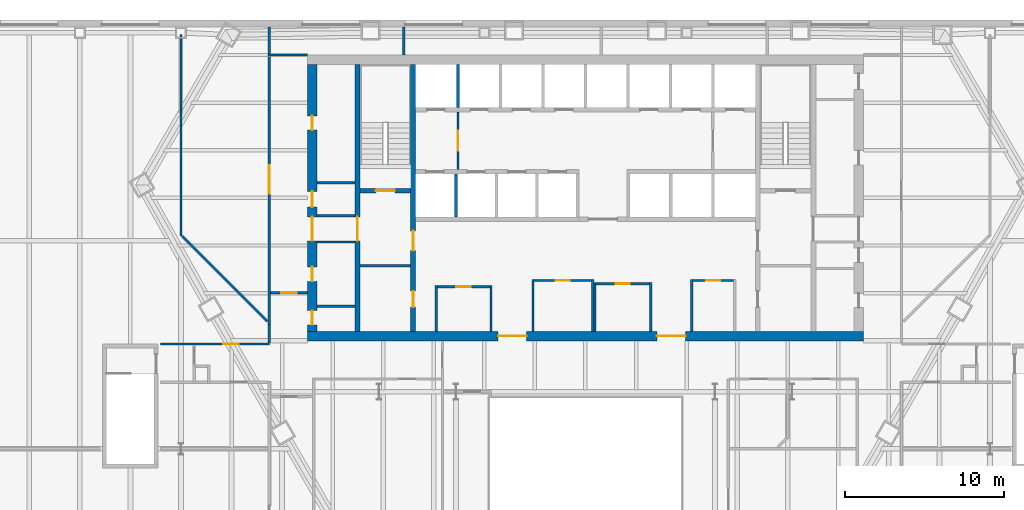
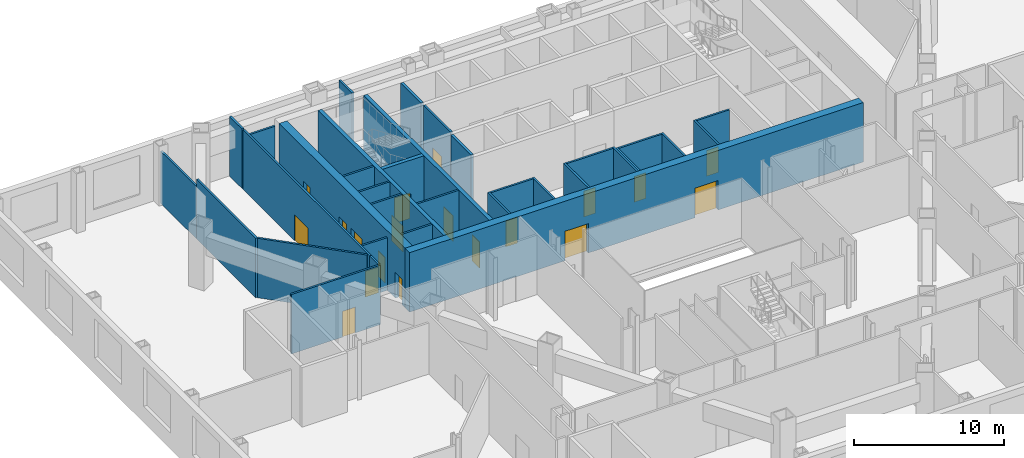
# One storey, part 11 of 17: 34 walls, 19 doors, 19 openings.
"""IFC4 building model written with IfcOpenShell, lengths in metres."""

import ifcopenshell
import ifcopenshell.guid

model = None  # the IFC model being written
_history = None  # IfcOwnerHistory: only IFC2X3 demands one
_inside = {}  # id of a spatial element -> (the spatial element, [elements in it])
_under = {}  # id of a project, library or spatial element -> (it, [spatial elements below it])
_declared = {}  # id of a project -> (the project, [libraries it declares])
_typed = {}  # id of a type object -> (the type object, [elements of that type])
_made_of = {}  # id of a material, layer set ... -> (it, [elements and type objects made of it])


def new_model(schema):
    """Start an empty IFC model of exactly this schema.

    Asked for "IFC4X3", IfcOpenShell would pick the latest addendum, in which some entities
    have other attributes; the version numbers below select the first issue.
    IFC2X3 requires an IfcOwnerHistory on every rooted entity: one is made here for all.
    """
    global model, _history
    if schema == "IFC4X3":
        model = ifcopenshell.file(schema_version=(4, 3, 0, 0))
    else:
        model = ifcopenshell.file(schema=schema)
    _inside.clear()
    _under.clear()
    _declared.clear()
    _typed.clear()
    _made_of.clear()
    _history = None
    if model.schema == "IFC2X3":
        org = make("IfcOrganization", Name="unknown")
        user = make(
            "IfcPersonAndOrganization",
            ThePerson=make("IfcPerson", FamilyName="unknown"),
            TheOrganization=org,
        )
        app = make(
            "IfcApplication",
            ApplicationDeveloper=org,
            Version="unknown",
            ApplicationFullName="unknown",
            ApplicationIdentifier="unknown",
        )
        _history = make(
            "IfcOwnerHistory",
            OwningUser=user,
            OwningApplication=app,
            ChangeAction="ADDED",
            CreationDate=0,
        )
    return model


def make(cls, **values):
    """One entity of the class cls with the attributes given. An attribute that is None is left unset."""
    return model.create_entity(
        cls, **{name: value for name, value in values.items() if value is not None}
    )


def rooted(cls, **values):
    """An entity with a GlobalId (a new one), such as an element, a storey or a relation."""
    return make(cls, GlobalId=ifcopenshell.guid.new(), OwnerHistory=_history, **values)


def si_unit(unit_type, name, prefix=None):
    """IfcSIUnit, for example si_unit("LENGTHUNIT", "METRE", prefix="MILLI")."""
    return make("IfcSIUnit", UnitType=unit_type, Prefix=prefix, Name=name)


def assignment(units):
    """IfcUnitAssignment: the units of a project."""
    return None if units is None else make("IfcUnitAssignment", Units=units)


def point(xyz):
    """IfcCartesianPoint."""
    return None if xyz is None else make("IfcCartesianPoint", Coordinates=xyz)


def direction(xyz):
    """IfcDirection."""
    return None if xyz is None else make("IfcDirection", DirectionRatios=xyz)


def frame(location, z_axis=None, x_axis=None):
    """IfcAxis2Placement3D, a coordinate frame: its origin and axes. An axis left out is left unset."""
    return make(
        "IfcAxis2Placement3D",
        Location=point(location),
        Axis=direction(z_axis),
        RefDirection=direction(x_axis),
    )


def frame_2d(location, x_axis=None):
    """IfcAxis2Placement2D, a coordinate frame in the plane: its origin and x axis."""
    return make(
        "IfcAxis2Placement2D", Location=point(location), RefDirection=direction(x_axis)
    )


def origin():
    """The frame at (0, 0, 0) with its axes left unset."""
    return frame((0.0, 0.0, 0.0))


def place(relative_to, where):
    """IfcLocalPlacement: puts the frame where relative to a parent placement (None: the world)."""
    return make(
        "IfcLocalPlacement", PlacementRelTo=relative_to, RelativePlacement=where
    )


def context(
    kind, dimensions, precision=None, world=None, true_north=None, identifier=None
):
    """IfcGeometricRepresentationContext, for example the 3D "Model" context."""
    return make(
        "IfcGeometricRepresentationContext",
        ContextIdentifier=identifier,
        ContextType=kind,
        CoordinateSpaceDimension=dimensions,
        Precision=precision,
        WorldCoordinateSystem=world,
        TrueNorth=true_north,
    )


def subcontext(parent, identifier, kind, view, scale=None):
    """IfcGeometricRepresentationSubContext, for example "Body" below "Model"."""
    return make(
        "IfcGeometricRepresentationSubContext",
        ContextIdentifier=identifier,
        ContextType=kind,
        ParentContext=parent,
        TargetScale=scale,
        TargetView=view,
    )


def project(units=None, contexts=None):
    """IfcProject with its units and contexts."""
    return rooted(
        "IfcProject",
        Name="project",
        RepresentationContexts=contexts,
        UnitsInContext=assignment(units),
    )


def spatial(cls, under=None, at=None, **own):
    """A site, building, storey or space (cls), placed at a placement, below another one or the project."""
    s = rooted(cls, ObjectPlacement=at, **own)
    if under is not None:
        _under.setdefault(under.id(), (under, []))[1].append(s)
    return s


def profile(cls, at=None, kind="AREA", **sizes):
    """A parametric profile (cls). Its sizes go by their IFC names, for example OverallWidth=200.0."""
    return make(cls, ProfileType=kind, Position=at, **sizes)


def rectangle(**sizes):
    """IfcRectangleProfileDef."""
    return profile("IfcRectangleProfileDef", **sizes)


def extrude(swept, where, along, depth):
    """IfcExtrudedAreaSolid: the profile swept, set in the frame where, extruded along a direction by depth."""
    return make(
        "IfcExtrudedAreaSolid",
        SweptArea=swept,
        Position=where,
        ExtrudedDirection=direction(along),
        Depth=depth,
    )


def shape(context_of_items, identifier, shape_type, items):
    """IfcShapeRepresentation: the items that make up one representation, for example the "Body"."""
    return make(
        "IfcShapeRepresentation",
        ContextOfItems=context_of_items,
        RepresentationIdentifier=identifier,
        RepresentationType=shape_type,
        Items=items,
    )


def material(Name=None, Category=None):
    """IfcMaterial."""
    return make("IfcMaterial", Name=Name, Category=Category)


def layer(
    of_material, thickness, ventilated=None, Name=None, Category=None, Priority=None
):
    """IfcMaterialLayer: one layer of a wall or slab, of a material (None: an air gap)."""
    return make(
        "IfcMaterialLayer",
        Material=of_material,
        LayerThickness=thickness,
        IsVentilated=ventilated,
        Name=Name,
        Category=Category,
        Priority=Priority,
    )


def layer_set(layers, Name=None):
    """IfcMaterialLayerSet."""
    return make("IfcMaterialLayerSet", MaterialLayers=layers, LayerSetName=Name)


def made_of(thing, what):
    """Note that an element or type object is made of a material, layer set ...; save() writes the relation."""
    if what is not None:
        _made_of.setdefault(what.id(), (what, []))[1].append(thing)
    return thing


def type_object(cls, material=None, **own):
    """A type object (cls), such as IfcWallType, which elements share."""
    return made_of(rooted(cls, **own), material)


def element(
    cls,
    number,
    at=None,
    inside=None,
    cuts=None,
    type_object=None,
    material=None,
    context=None,
    identifier="Body",
    shape_type=None,
    held_by="IfcProductDefinitionShape",
    body=None,
    shapes=None,
    **own,
):
    """One element of the class cls, such as IfcWall. Its Tag is "e" and its number.

    at: its placement. inside: the storey or other place that contains it. cuts: it is an
    opening in that element (IfcRelVoidsElement). A single representation is given by context,
    identifier, shape_type and body (its items); several are given by shapes. held_by: the class
    of the entity that holds the representations. save() writes the other relations.
    """
    e = rooted(cls, Tag="e%d" % number, ObjectPlacement=at, **own)
    if body is not None:
        shapes = [shape(context, identifier, shape_type, body)]
    if shapes is not None:
        e.Representation = make(held_by, Representations=shapes)
    if inside is not None:
        _inside.setdefault(inside.id(), (inside, []))[1].append(e)
    if cuts is not None:
        rooted(
            "IfcRelVoidsElement", RelatingBuildingElement=cuts, RelatedOpeningElement=e
        )
    if type_object is not None:
        _typed.setdefault(type_object.id(), (type_object, []))[1].append(e)
    return made_of(e, material)


def fill(opening, filler):
    """IfcRelFillsElement: the door or window that sits in an opening."""
    return rooted(
        "IfcRelFillsElement",
        RelatingOpeningElement=opening,
        RelatedBuildingElement=filler,
    )


def aggregate(whole, parts):
    """IfcRelAggregates: a whole, such as a stair, and the parts it consists of."""
    return rooted("IfcRelAggregates", RelatingObject=whole, RelatedObjects=parts)


def save(model, path):
    """Write the relations noted so far, then the file.

    IfcRelAggregates (storeys below a building ...), IfcRelContainedInSpatialStructure (elements
    in a storey), IfcRelDefinesByType, IfcRelAssociatesMaterial and IfcRelDeclares: one each for
    every whole, place, type object, material and project.
    """
    for whole, parts in _under.values():
        aggregate(whole, parts)
    for where, things in _inside.values():
        rooted(
            "IfcRelContainedInSpatialStructure",
            RelatedElements=things,
            RelatingStructure=where,
        )
    for kind, things in _typed.values():
        rooted("IfcRelDefinesByType", RelatedObjects=things, RelatingType=kind)
    for what, things in _made_of.values():
        rooted("IfcRelAssociatesMaterial", RelatedObjects=things, RelatingMaterial=what)
    for by, libraries in _declared.values():
        rooted("IfcRelDeclares", RelatingContext=by, RelatedDefinitions=libraries)
    model.write(path)


model = new_model("IFC4")

# Units and contexts
model_context = context("Model", 3, precision=1e-05, world=origin(), true_north=direction((0.0, 1.0)))
body_context = subcontext(model_context, "Body", "Model", "MODEL_VIEW")
ifc_project = project(units=[si_unit("LENGTHUNIT", "METRE"), si_unit("AREAUNIT", "SQUARE_METRE"), si_unit("VOLUMEUNIT", "CUBIC_METRE"), si_unit("PLANEANGLEUNIT", "RADIAN"), si_unit("MASSUNIT", "GRAM", prefix="KILO")], contexts=[model_context])

# Site, building, storey
site_placement = place(None, origin())
site = spatial("IfcSite", under=ifc_project, at=site_placement, CompositionType="ELEMENT")
building_placement = place(site_placement, origin())
building = spatial("IfcBuilding", under=site, at=building_placement, Name="Njiva Tower", CompositionType="ELEMENT")
storey_placement = place(building_placement, frame((0.0, 0.0, 23.7)))
storey = spatial("IfcBuildingStorey", under=building, at=storey_placement, Name="L04", CompositionType="ELEMENT", Elevation=23.7)

# Walls
ifc_material_1 = material(Name="Blockwork", Category="masonry")
ifc_layer_1 = layer(ifc_material_1, 0.15)
ifc_layer_set_1 = layer_set([ifc_layer_1], Name="Blockwork")
wall_type_1 = type_object("IfcWallType", Name="WT1 Compartment partition 150", PredefinedType="PARTITIONING", material=ifc_layer_set_1)
wall_1_placement = place(storey_placement, frame((-14.2, 4.725, 0.0), z_axis=(0.0, 0.0, 1.0), x_axis=(1.0, 0.0, 0.0)))
element("IfcWall", 1, at=wall_1_placement, inside=storey, type_object=wall_type_1, Name="Room wall A", PredefinedType="PARTITIONING", context=body_context, shape_type="SweptSolid", body=[
    extrude(rectangle(XDim=3.2, YDim=0.15, at=frame_2d((1.6, 0.0))), origin(), (0.0, 0.0, 1.0), 4.85),
])
wall_2_placement = place(storey_placement, frame((-16.9, 9.9575, 0.0), z_axis=(0.0, 0.0, 1.0), x_axis=(1.0, 0.0, 0.0)))
element("IfcWall", 2, at=wall_2_placement, inside=storey, type_object=wall_type_1, Name="Partition strip W10", PredefinedType="PARTITIONING", context=body_context, shape_type="SweptSolid", body=[
    extrude(rectangle(XDim=2.4, YDim=0.15, at=frame_2d((1.2, 0.0))), origin(), (0.0, 0.0, 1.0), 4.85),
])
for number, where, z_axis, x_axis, name in (
    (3, (-9.4, 0.6, 0.0), (0.0, 0.0, 1.0), (0.0, 1.0, 0.0), "Waiting room wall west"),
    (4, (-5.95, 0.6, 0.0), (0.0, 0.0, 1.0), (0.0, 1.0, 0.0), "Waiting room wall east"),
):
    element("IfcWall", number, at=place(storey_placement, frame(where, z_axis=z_axis, x_axis=x_axis)), inside=storey, type_object=wall_type_1, Name=name, PredefinedType="PARTITIONING", context=body_context, shape_type="SweptSolid", body=[
        extrude(rectangle(XDim=2.875, YDim=0.15, at=frame_2d((1.4375, 0.0))), origin(), (0.0, 0.0, 1.0), 4.85),
    ])

# Wall, opening, door
wall_3_placement = place(storey_placement, frame((-9.325, 3.4, 0.0), z_axis=(0.0, 0.0, 1.0), x_axis=(1.0, 0.0, 0.0)))
wall_3 = element("IfcWall", 5, at=wall_3_placement, inside=storey, type_object=wall_type_1, Name="Waiting room wall north", PredefinedType="PARTITIONING", context=body_context, shape_type="SweptSolid", body=[
    extrude(rectangle(XDim=3.3, YDim=0.15, at=frame_2d((1.65, 0.0))), origin(), (0.0, 0.0, 1.0), 4.85),
])
opening_1_placement = place(wall_3_placement, frame((1.2, 0.0, 0.0)))
opening_1 = element("IfcOpeningElement", 6, at=opening_1_placement, cuts=wall_3, Name="Opening L04-D932", PredefinedType="OPENING", context=body_context, shape_type="SweptSolid", body=[
    extrude(rectangle(XDim=0.9, YDim=2.1, at=frame_2d((0.45, 1.05))), frame((0.0, 0.085, 0.0), z_axis=(0.0, -1.0, 0.0), x_axis=(1.0, 0.0, 0.0)), (0.0, 0.0, 1.0), 0.17),
])
ifc_material_2 = material(Name="Steel fire door, painted", Category="steel")
door_type_1 = type_object("IfcDoorType", Name="D6 Fire-rated door 900x2100", OperationType="SINGLE_SWING_LEFT", PredefinedType="DOOR", material=ifc_material_2)
door_1_placement = place(opening_1_placement, origin())
door_1 = element("IfcDoor", 7, at=door_1_placement, inside=storey, type_object=door_type_1, Name="Waiting room door", OperationType="SINGLE_SWING_RIGHT", OverallHeight=2.1, OverallWidth=0.9, PredefinedType="DOOR", context=body_context, shape_type="SweptSolid", body=[
    extrude(rectangle(XDim=0.9, YDim=2.1, at=frame_2d((0.45, 1.05))), frame((0.0, 0.025, 0.0), z_axis=(0.0, -1.0, 0.0), x_axis=(1.0, 0.0, 0.0)), (0.0, 0.0, 1.0), 0.05),
])
fill(opening_1, door_1)

# Walls
for number, where, z_axis, x_axis, name in (
    (8, (-3.3, 0.6, 0.0), (0.0, 0.0, 1.0), (0.0, 1.0, 0.0), "First aid room wall west"),
    (9, (0.45, 0.6, 0.0), (0.0, 0.0, 1.0), (0.0, 1.0, 0.0), "First aid room wall east"),
):
    element("IfcWall", number, at=place(storey_placement, frame(where, z_axis=z_axis, x_axis=x_axis)), inside=storey, type_object=wall_type_1, Name=name, PredefinedType="PARTITIONING", context=body_context, shape_type="SweptSolid", body=[
        extrude(rectangle(XDim=3.275, YDim=0.15, at=frame_2d((1.6375, 0.0))), origin(), (0.0, 0.0, 1.0), 4.85),
    ])

# Wall, opening, door
wall_4_placement = place(storey_placement, frame((-3.225, 3.8, 0.0), z_axis=(0.0, 0.0, 1.0), x_axis=(1.0, 0.0, 0.0)))
wall_4 = element("IfcWall", 10, at=wall_4_placement, inside=storey, type_object=wall_type_1, Name="First aid room wall north", PredefinedType="PARTITIONING", context=body_context, shape_type="SweptSolid", body=[
    extrude(rectangle(XDim=3.6, YDim=0.15, at=frame_2d((1.8, 0.0))), origin(), (0.0, 0.0, 1.0), 4.85),
])
opening_2_placement = place(wall_4_placement, frame((1.35, 0.0, 0.0)))
opening_2 = element("IfcOpeningElement", 11, at=opening_2_placement, cuts=wall_4, Name="Opening L04-D933", PredefinedType="OPENING", context=body_context, shape_type="SweptSolid", body=[
    extrude(rectangle(XDim=0.9, YDim=2.1, at=frame_2d((0.45, 1.05))), frame((0.0, 0.085, 0.0), z_axis=(0.0, -1.0, 0.0), x_axis=(1.0, 0.0, 0.0)), (0.0, 0.0, 1.0), 0.17),
])
door_2_placement = place(opening_2_placement, origin())
door_2 = element("IfcDoor", 12, at=door_2_placement, inside=storey, type_object=door_type_1, Name="First aid room door", OperationType="SINGLE_SWING_LEFT", OverallHeight=2.1, OverallWidth=0.9, PredefinedType="DOOR", context=body_context, shape_type="SweptSolid", body=[
    extrude(rectangle(XDim=0.9, YDim=2.1, at=frame_2d((0.45, 1.05))), frame((0.0, 0.025, 0.0), z_axis=(0.0, -1.0, 0.0), x_axis=(1.0, 0.0, 0.0)), (0.0, 0.0, 1.0), 0.05),
])
fill(opening_2, door_2)

# Walls
for number, where, z_axis, x_axis, name in (
    (13, (0.6, 0.6, 0.0), (0.0, 0.0, 1.0), (0.0, 1.0, 0.0), "Parcel room wall west"),
    (14, (4.1, 0.6, 0.0), (0.0, 0.0, 1.0), (0.0, 1.0, 0.0), "Parcel room wall east"),
):
    element("IfcWall", number, at=place(storey_placement, frame(where, z_axis=z_axis, x_axis=x_axis)), inside=storey, type_object=wall_type_1, Name=name, PredefinedType="PARTITIONING", context=body_context, shape_type="SweptSolid", body=[
        extrude(rectangle(XDim=3.075, YDim=0.15, at=frame_2d((1.5375, 0.0))), origin(), (0.0, 0.0, 1.0), 4.85),
    ])

# Wall, opening, door
wall_5_placement = place(storey_placement, frame((0.675, 3.6, 0.0), z_axis=(0.0, 0.0, 1.0), x_axis=(1.0, 0.0, 0.0)))
wall_5 = element("IfcWall", 15, at=wall_5_placement, inside=storey, type_object=wall_type_1, Name="Parcel room wall north", PredefinedType="PARTITIONING", context=body_context, shape_type="SweptSolid", body=[
    extrude(rectangle(XDim=3.35, YDim=0.15, at=frame_2d((1.675, 0.0))), origin(), (0.0, 0.0, 1.0), 4.85),
])
opening_3_placement = place(wall_5_placement, frame((1.225, 0.0, 0.0)))
opening_3 = element("IfcOpeningElement", 16, at=opening_3_placement, cuts=wall_5, Name="Opening L04-D934", PredefinedType="OPENING", context=body_context, shape_type="SweptSolid", body=[
    extrude(rectangle(XDim=0.9, YDim=2.1, at=frame_2d((0.45, 1.05))), frame((0.0, 0.085, 0.0), z_axis=(0.0, -1.0, 0.0), x_axis=(1.0, 0.0, 0.0)), (0.0, 0.0, 1.0), 0.17),
])
door_3_placement = place(opening_3_placement, origin())
door_3 = element("IfcDoor", 17, at=door_3_placement, inside=storey, type_object=door_type_1, Name="Parcel room door", OperationType="SINGLE_SWING_LEFT", OverallHeight=2.1, OverallWidth=0.9, PredefinedType="DOOR", context=body_context, shape_type="SweptSolid", body=[
    extrude(rectangle(XDim=0.9, YDim=2.1, at=frame_2d((0.45, 1.05))), frame((0.0, 0.025, 0.0), z_axis=(0.0, -1.0, 0.0), x_axis=(1.0, 0.0, 0.0)), (0.0, 0.0, 1.0), 0.05),
])
fill(opening_3, door_3)

# Wall
wall_6_placement = place(storey_placement, frame((6.7, 0.6, 0.0), z_axis=(0.0, 0.0, 1.0), x_axis=(0.0, 1.0, 0.0)))
element("IfcWall", 18, at=wall_6_placement, inside=storey, type_object=wall_type_1, Name="Security office wall west", PredefinedType="PARTITIONING", context=body_context, shape_type="SweptSolid", body=[
    extrude(rectangle(XDim=3.275, YDim=0.15, at=frame_2d((1.6375, 0.0))), origin(), (0.0, 0.0, 1.0), 4.85),
])

# Wall, opening, door
wall_7_placement = place(storey_placement, frame((6.775, 3.8, 0.0), z_axis=(0.0, 0.0, 1.0), x_axis=(1.0, 0.0, 0.0)))
wall_7 = element("IfcWall", 19, at=wall_7_placement, inside=storey, type_object=wall_type_1, Name="Security office wall north", PredefinedType="PARTITIONING", context=body_context, shape_type="SweptSolid", body=[
    extrude(rectangle(XDim=2.55, YDim=0.15, at=frame_2d((1.275, 0.0))), origin(), (0.0, 0.0, 1.0), 4.85),
])
opening_4_placement = place(wall_7_placement, frame((0.825, 0.0, 0.0)))
opening_4 = element("IfcOpeningElement", 20, at=opening_4_placement, cuts=wall_7, Name="Opening L04-D935", PredefinedType="OPENING", context=body_context, shape_type="SweptSolid", body=[
    extrude(rectangle(XDim=0.9, YDim=2.1, at=frame_2d((0.45, 1.05))), frame((0.0, 0.085, 0.0), z_axis=(0.0, -1.0, 0.0), x_axis=(1.0, 0.0, 0.0)), (0.0, 0.0, 1.0), 0.17),
])
door_4_placement = place(opening_4_placement, origin())
door_4 = element("IfcDoor", 21, at=door_4_placement, inside=storey, type_object=door_type_1, Name="Security office door", OperationType="SINGLE_SWING_RIGHT", OverallHeight=2.1, OverallWidth=0.9, PredefinedType="DOOR", context=body_context, shape_type="SweptSolid", body=[
    extrude(rectangle(XDim=0.9, YDim=2.1, at=frame_2d((0.45, 1.05))), frame((0.0, 0.025, 0.0), z_axis=(0.0, -1.0, 0.0), x_axis=(1.0, 0.0, 0.0)), (0.0, 0.0, 1.0), 0.05),
])
fill(opening_4, door_4)

# Wall, openings, doors
ifc_material_3 = material(Name="Concrete C40/50", Category="concrete")
ifc_layer_2 = layer(ifc_material_3, 0.3)
ifc_layer_set_2 = layer_set([ifc_layer_2], Name="Concrete C40/50")
wall_type_2 = type_object("IfcWallType", Name="WT10 Stair enclosure wall 300", PredefinedType="SHEAR", material=ifc_layer_set_2)
wall_8_placement = place(storey_placement, frame((-10.85, 0.6, 0.0), z_axis=(0.0, 0.0, 1.0), x_axis=(0.0, 1.0, 0.0)))
wall_8 = element("IfcWall", 22, at=wall_8_placement, inside=storey, type_object=wall_type_2, Name="Stair wall west inner", PredefinedType="SHEAR", context=body_context, shape_type="SweptSolid", body=[
    extrude(rectangle(XDim=16.8, YDim=0.3, at=frame_2d((8.4, 0.0))), origin(), (0.0, 0.0, 1.0), 4.85),
])
opening_5_placement = place(wall_8_placement, frame((5.075, 0.0, 0.0)))
opening_5 = element("IfcOpeningElement", 23, at=opening_5_placement, cuts=wall_8, Name="Opening L04-D914", PredefinedType="OPENING", context=body_context, shape_type="SweptSolid", body=[
    extrude(rectangle(XDim=1.25, YDim=2.1, at=frame_2d((0.625, 1.05))), frame((0.0, 0.16, 0.0), z_axis=(0.0, -1.0, 0.0), x_axis=(1.0, 0.0, 0.0)), (0.0, 0.0, 1.0), 0.32),
])
opening_6_placement = place(wall_8_placement, frame((1.525, 0.0, 0.0)))
opening_6 = element("IfcOpeningElement", 24, at=opening_6_placement, cuts=wall_8, Name="Opening L04-D915", PredefinedType="OPENING", context=body_context, shape_type="SweptSolid", body=[
    extrude(rectangle(XDim=1.0, YDim=2.1, at=frame_2d((0.5, 1.05))), frame((0.0, 0.16, 0.0), z_axis=(0.0, -1.0, 0.0), x_axis=(1.0, 0.0, 0.0)), (0.0, 0.0, 1.0), 0.32),
])
ifc_material_4 = material(Name="Steel door, painted", Category="steel")
door_type_2 = type_object("IfcDoorType", Name="D5 Steel door 1000x2100", OperationType="SINGLE_SWING_LEFT", PredefinedType="DOOR", material=ifc_material_4)
door_5_placement = place(opening_6_placement, origin())
door_5 = element("IfcDoor", 25, at=door_5_placement, inside=storey, type_object=door_type_2, Name="First aid room door", OperationType="SINGLE_SWING_RIGHT", OverallHeight=2.1, OverallWidth=1.0, PredefinedType="DOOR", context=body_context, shape_type="SweptSolid", body=[
    extrude(rectangle(XDim=1.0, YDim=2.1, at=frame_2d((0.5, 1.05))), frame((0.0, 0.025, 0.0), z_axis=(0.0, -1.0, 0.0), x_axis=(1.0, 0.0, 0.0)), (0.0, 0.0, 1.0), 0.05),
])
fill(opening_6, door_5)
ifc_material_5 = material(Name="Glazed steel fire door", Category="steel")
door_type_3 = type_object("IfcDoorType", Name="D8 Vestibule corridor door 1250x2100 glazed", OperationType="SINGLE_SWING_LEFT", PredefinedType="DOOR", material=ifc_material_5)
door_6_placement = place(opening_5_placement, origin())
door_6 = element("IfcDoor", 26, at=door_6_placement, inside=storey, type_object=door_type_3, Name="Stair vestibule corridor door", OperationType="SINGLE_SWING_LEFT", OverallHeight=2.1, OverallWidth=1.25, PredefinedType="DOOR", context=body_context, shape_type="SweptSolid", body=[
    extrude(rectangle(XDim=1.25, YDim=2.1, at=frame_2d((0.625, 1.05))), frame((0.0, 0.025, 0.0), z_axis=(0.0, -1.0, 0.0), x_axis=(1.0, 0.0, 0.0)), (0.0, 0.0, 1.0), 0.05),
])
fill(opening_5, door_6)

# Wall, opening, door
wall_9_placement = place(storey_placement, frame((-14.35, 0.6, 0.0), z_axis=(0.0, 0.0, 1.0), x_axis=(0.0, 1.0, 0.0)))
wall_9 = element("IfcWall", 27, at=wall_9_placement, inside=storey, type_object=wall_type_2, Name="Stair wall west outer", PredefinedType="SHEAR", context=body_context, shape_type="SweptSolid", body=[
    extrude(rectangle(XDim=16.8, YDim=0.3, at=frame_2d((8.4, 0.0))), origin(), (0.0, 0.0, 1.0), 4.85),
])
opening_7_placement = place(wall_9_placement, frame((5.7, 0.0, 0.0)))
opening_7 = element("IfcOpeningElement", 28, at=opening_7_placement, cuts=wall_9, Name="Opening L04-D920", PredefinedType="OPENING", context=body_context, shape_type="SweptSolid", body=[
    extrude(rectangle(XDim=1.5, YDim=2.1, at=frame_2d((0.75, 1.05))), frame((0.0, 0.16, 0.0), z_axis=(0.0, -1.0, 0.0), x_axis=(1.0, 0.0, 0.0)), (0.0, 0.0, 1.0), 0.32),
])
door_type_4 = type_object("IfcDoorType", Name="D10 Exit door double 1500x2100 glazed", OperationType="DOUBLE_DOOR_SINGLE_SWING", PredefinedType="DOOR", material=ifc_material_5)
door_7_placement = place(opening_7_placement, origin())
door_7 = element("IfcDoor", 29, at=door_7_placement, inside=storey, type_object=door_type_4, Name="Stair A passage door", OperationType="DOUBLE_DOOR_SINGLE_SWING", OverallHeight=2.1, OverallWidth=1.5, PredefinedType="DOOR", context=body_context, shape_type="SweptSolid", body=[
    extrude(rectangle(XDim=1.5, YDim=2.1, at=frame_2d((0.75, 1.05))), frame((0.0, 0.025, 0.0), z_axis=(0.0, -1.0, 0.0), x_axis=(1.0, 0.0, 0.0)), (0.0, 0.0, 1.0), 0.05),
])
fill(opening_7, door_7)

wall_10_placement = place(storey_placement, frame((-14.2, 9.45, 0.0), z_axis=(0.0, 0.0, 1.0), x_axis=(1.0, 0.0, 0.0)))
wall_10 = element("IfcWall", 30, at=wall_10_placement, inside=storey, type_object=wall_type_2, Name="Stair A south wall", PredefinedType="SHEAR", context=body_context, shape_type="SweptSolid", body=[
    extrude(rectangle(XDim=3.2, YDim=0.3, at=frame_2d((1.6, 0.0))), origin(), (0.0, 0.0, 1.0), 4.85),
])
opening_8_placement = place(wall_10_placement, frame((1.0, 0.0, 0.0)))
opening_8 = element("IfcOpeningElement", 31, at=opening_8_placement, cuts=wall_10, Name="Opening L04-D913", PredefinedType="OPENING", context=body_context, shape_type="SweptSolid", body=[
    extrude(rectangle(XDim=1.2, YDim=2.1, at=frame_2d((0.6, 1.05))), frame((0.0, 0.16, 0.0), z_axis=(0.0, -1.0, 0.0), x_axis=(1.0, 0.0, 0.0)), (0.0, 0.0, 1.0), 0.32),
])
door_type_5 = type_object("IfcDoorType", Name="D7 Stair vestibule door 1200x2100 glazed", OperationType="SINGLE_SWING_LEFT", PredefinedType="DOOR", material=ifc_material_5)
door_8_placement = place(opening_8_placement, origin())
door_8 = element("IfcDoor", 32, at=door_8_placement, inside=storey, type_object=door_type_5, Name="Stair A door", OperationType="SINGLE_SWING_LEFT", OverallHeight=2.1, OverallWidth=1.2, PredefinedType="DOOR", context=body_context, shape_type="SweptSolid", body=[
    extrude(rectangle(XDim=1.2, YDim=2.1, at=frame_2d((0.6, 1.05))), frame((0.0, 0.025, 0.0), z_axis=(0.0, -1.0, 0.0), x_axis=(1.0, 0.0, 0.0)), (0.0, 0.0, 1.0), 0.05),
])
fill(opening_8, door_8)

# Wall, openings, doors
ifc_material_6 = material(Name="Concrete C60/75", Category="concrete")
ifc_layer_3 = layer(ifc_material_6, 0.6)
ifc_layer_set_3 = layer_set([ifc_layer_3], Name="Concrete C60/75")
wall_type_3 = type_object("IfcWallType", Name="WT15 Core wall 600", PredefinedType="SHEAR", material=ifc_layer_set_3)
wall_11_placement = place(storey_placement, frame((-17.5, 0.3, 0.0), z_axis=(0.0, 0.0, 1.0), x_axis=(1.0, 0.0, 0.0)))
wall_11 = element("IfcWall", 33, at=wall_11_placement, inside=storey, type_object=wall_type_3, Name="Core wall south", PredefinedType="SHEAR", context=body_context, shape_type="SweptSolid", body=[
    extrude(rectangle(XDim=35.0, YDim=0.6, at=frame_2d((17.5, 0.0))), origin(), (0.0, 0.0, 1.0), 4.85),
])
opening_9_placement = place(wall_11_placement, frame((12.0, 0.0, 0.0)))
opening_9 = element("IfcOpeningElement", 34, at=opening_9_placement, cuts=wall_11, Name="Opening L04-D937", PredefinedType="OPENING", context=body_context, shape_type="SweptSolid", body=[
    extrude(rectangle(XDim=1.8, YDim=2.4, at=frame_2d((0.9, 1.2))), frame((0.0, 0.31, 0.0), z_axis=(0.0, -1.0, 0.0), x_axis=(1.0, 0.0, 0.0)), (0.0, 0.0, 1.0), 0.62),
])
opening_10_placement = place(wall_11_placement, frame((22.0, 0.0, 0.0)))
opening_10 = element("IfcOpeningElement", 35, at=opening_10_placement, cuts=wall_11, Name="Opening L04-D938", PredefinedType="OPENING", context=body_context, shape_type="SweptSolid", body=[
    extrude(rectangle(XDim=1.8, YDim=2.4, at=frame_2d((0.9, 1.2))), frame((0.0, 0.31, 0.0), z_axis=(0.0, -1.0, 0.0), x_axis=(1.0, 0.0, 0.0)), (0.0, 0.0, 1.0), 0.62),
])
ifc_material_7 = material(Name="Steel and glass door", Category="steel")
door_type_6 = type_object("IfcDoorType", Name="D3 Core entrance door 1800x2400", OperationType="DOUBLE_DOOR_SINGLE_SWING", PredefinedType="DOOR", material=ifc_material_7)
door_9_placement = place(opening_9_placement, origin())
door_9 = element("IfcDoor", 36, at=door_9_placement, inside=storey, type_object=door_type_6, Name="Core entrance door", OperationType="DOUBLE_DOOR_SINGLE_SWING", OverallHeight=2.4, OverallWidth=1.8, PredefinedType="DOOR", context=body_context, shape_type="SweptSolid", body=[
    extrude(rectangle(XDim=1.8, YDim=2.4, at=frame_2d((0.9, 1.2))), frame((0.0, 0.025, 0.0), z_axis=(0.0, -1.0, 0.0), x_axis=(1.0, 0.0, 0.0)), (0.0, 0.0, 1.0), 0.05),
])
fill(opening_9, door_9)
door_10_placement = place(opening_10_placement, origin())
door_10 = element("IfcDoor", 37, at=door_10_placement, inside=storey, type_object=door_type_6, Name="Core entrance door", OperationType="DOUBLE_DOOR_SINGLE_SWING", OverallHeight=2.4, OverallWidth=1.8, PredefinedType="DOOR", context=body_context, shape_type="SweptSolid", body=[
    extrude(rectangle(XDim=1.8, YDim=2.4, at=frame_2d((0.9, 1.2))), frame((0.0, 0.025, 0.0), z_axis=(0.0, -1.0, 0.0), x_axis=(1.0, 0.0, 0.0)), (0.0, 0.0, 1.0), 0.05),
])
fill(opening_10, door_10)

wall_12_placement = place(storey_placement, frame((-17.2, 0.6, 0.0), z_axis=(0.0, 0.0, 1.0), x_axis=(0.0, 1.0, 0.0)))
wall_12 = element("IfcWall", 38, at=wall_12_placement, inside=storey, type_object=wall_type_3, Name="Core wall west", PredefinedType="SHEAR", context=body_context, shape_type="SweptSolid", body=[
    extrude(rectangle(XDim=16.8, YDim=0.6, at=frame_2d((8.4, 0.0))), origin(), (0.0, 0.0, 1.0), 4.85),
])
opening_11_placement = place(wall_12_placement, frame((5.7, 0.0, 0.0)))
opening_11 = element("IfcOpeningElement", 39, at=opening_11_placement, cuts=wall_12, Name="Opening L04-D921", PredefinedType="OPENING", context=body_context, shape_type="SweptSolid", body=[
    extrude(rectangle(XDim=1.5, YDim=2.1, at=frame_2d((0.75, 1.05))), frame((0.0, 0.31, 0.0), z_axis=(0.0, -1.0, 0.0), x_axis=(1.0, 0.0, 0.0)), (0.0, 0.0, 1.0), 0.62),
])
opening_12_placement = place(wall_12_placement, frame((0.4, 0.0, 0.0)))
opening_12 = element("IfcOpeningElement", 40, at=opening_12_placement, cuts=wall_12, Name="Opening L04-D922", PredefinedType="OPENING", context=body_context, shape_type="SweptSolid", body=[
    extrude(rectangle(XDim=0.9, YDim=2.1, at=frame_2d((0.45, 1.05))), frame((0.0, 0.31, 0.0), z_axis=(0.0, -1.0, 0.0), x_axis=(1.0, 0.0, 0.0)), (0.0, 0.0, 1.0), 0.62),
])
opening_13_placement = place(wall_12_placement, frame((3.15, 0.0, 0.0)))
opening_13 = element("IfcOpeningElement", 41, at=opening_13_placement, cuts=wall_12, Name="Opening L04-D923", PredefinedType="OPENING", context=body_context, shape_type="SweptSolid", body=[
    extrude(rectangle(XDim=0.9, YDim=2.1, at=frame_2d((0.45, 1.05))), frame((0.0, 0.31, 0.0), z_axis=(0.0, -1.0, 0.0), x_axis=(1.0, 0.0, 0.0)), (0.0, 0.0, 1.0), 0.62),
])
opening_14_placement = place(wall_12_placement, frame((7.8162, 0.0, 0.0)))
opening_14 = element("IfcOpeningElement", 42, at=opening_14_placement, cuts=wall_12, Name="Opening L04-D924", PredefinedType="OPENING", context=body_context, shape_type="SweptSolid", body=[
    extrude(rectangle(XDim=1.0, YDim=2.1, at=frame_2d((0.5, 1.05))), frame((0.0, 0.31, 0.0), z_axis=(0.0, -1.0, 0.0), x_axis=(1.0, 0.0, 0.0)), (0.0, 0.0, 1.0), 0.62),
])
opening_15_placement = place(wall_12_placement, frame((12.6662, 0.0, 0.0)))
opening_15 = element("IfcOpeningElement", 43, at=opening_15_placement, cuts=wall_12, Name="Opening L04-D925", PredefinedType="OPENING", context=body_context, shape_type="SweptSolid", body=[
    extrude(rectangle(XDim=0.9, YDim=2.1, at=frame_2d((0.45, 1.05))), frame((0.0, 0.31, 0.0), z_axis=(0.0, -1.0, 0.0), x_axis=(1.0, 0.0, 0.0)), (0.0, 0.0, 1.0), 0.62),
])
door_11_placement = place(opening_11_placement, origin())
door_11 = element("IfcDoor", 44, at=door_11_placement, inside=storey, type_object=door_type_4, Name="Stair A corridor door", OperationType="DOUBLE_DOOR_SINGLE_SWING", OverallHeight=2.1, OverallWidth=1.5, PredefinedType="DOOR", context=body_context, shape_type="SweptSolid", body=[
    extrude(rectangle(XDim=1.5, YDim=2.1, at=frame_2d((0.75, 1.05))), frame((0.0, 0.025, 0.0), z_axis=(0.0, -1.0, 0.0), x_axis=(1.0, 0.0, 0.0)), (0.0, 0.0, 1.0), 0.05),
])
fill(opening_11, door_11)
door_type_7 = type_object("IfcDoorType", Name="D4 Riser door 900x2100", OperationType="SINGLE_SWING_LEFT", PredefinedType="DOOR", material=ifc_material_4)
door_12_placement = place(opening_12_placement, origin())
door_12 = element("IfcDoor", 45, at=door_12_placement, inside=storey, type_object=door_type_7, Name="Riser door", OperationType="SINGLE_SWING_RIGHT", OverallHeight=2.1, OverallWidth=0.9, PredefinedType="DOOR", context=body_context, shape_type="SweptSolid", body=[
    extrude(rectangle(XDim=0.9, YDim=2.1, at=frame_2d((0.45, 1.05))), frame((0.0, 0.025, 0.0), z_axis=(0.0, -1.0, 0.0), x_axis=(1.0, 0.0, 0.0)), (0.0, 0.0, 1.0), 0.05),
])
fill(opening_12, door_12)
door_13_placement = place(opening_14_placement, origin())
door_13 = element("IfcDoor", 46, at=door_13_placement, inside=storey, type_object=door_type_2, Name="Electrical room door", OperationType="SINGLE_SWING_LEFT", OverallHeight=2.1, OverallWidth=1.0, PredefinedType="DOOR", context=body_context, shape_type="SweptSolid", body=[
    extrude(rectangle(XDim=1.0, YDim=2.1, at=frame_2d((0.5, 1.05))), frame((0.0, 0.025, 0.0), z_axis=(0.0, -1.0, 0.0), x_axis=(1.0, 0.0, 0.0)), (0.0, 0.0, 1.0), 0.05),
])
fill(opening_14, door_13)
door_14_placement = place(opening_13_placement, origin())
door_14 = element("IfcDoor", 47, at=door_14_placement, inside=storey, type_object=door_type_1, Name="First aid room door", OperationType="SINGLE_SWING_LEFT", OverallHeight=2.1, OverallWidth=0.9, PredefinedType="DOOR", context=body_context, shape_type="SweptSolid", body=[
    extrude(rectangle(XDim=0.9, YDim=2.1, at=frame_2d((0.45, 1.05))), frame((0.0, 0.025, 0.0), z_axis=(0.0, -1.0, 0.0), x_axis=(1.0, 0.0, 0.0)), (0.0, 0.0, 1.0), 0.05),
])
fill(opening_13, door_14)
door_15_placement = place(opening_15_placement, origin())
door_15 = element("IfcDoor", 48, at=door_15_placement, inside=storey, type_object=door_type_1, Name="Breakout room door", OperationType="SINGLE_SWING_RIGHT", OverallHeight=2.1, OverallWidth=0.9, PredefinedType="DOOR", context=body_context, shape_type="SweptSolid", body=[
    extrude(rectangle(XDim=0.9, YDim=2.1, at=frame_2d((0.45, 1.05))), frame((0.0, 0.025, 0.0), z_axis=(0.0, -1.0, 0.0), x_axis=(1.0, 0.0, 0.0)), (0.0, 0.0, 1.0), 0.05),
])
fill(opening_15, door_15)

# Wall, opening, door
ifc_layer_4 = layer(ifc_material_1, 0.15)
ifc_layer_set_4 = layer_set([ifc_layer_4], Name="Blockwork")
wall_type_4 = type_object("IfcWallType", Name="WT2 Lobby partition 150", PredefinedType="PARTITIONING", material=ifc_layer_set_4)
wall_13_placement = place(storey_placement, frame((-8.025, 10.8, 0.0), z_axis=(0.0, 0.0, 1.0), x_axis=(0.0, 1.0, 0.0)))
wall_13 = element("IfcWall", 49, at=wall_13_placement, inside=storey, type_object=wall_type_4, Name="Firefighting lobby wall A", PredefinedType="PARTITIONING", context=body_context, shape_type="SweptSolid", body=[
    extrude(rectangle(XDim=3.6, YDim=0.15, at=frame_2d((1.8, 0.0))), origin(), (0.0, 0.0, 1.0), 4.85),
])
opening_16_placement = place(wall_13_placement, frame((1.175, 0.0, 0.0)))
opening_16 = element("IfcOpeningElement", 50, at=opening_16_placement, cuts=wall_13, Name="Opening L04-D912", PredefinedType="OPENING", context=body_context, shape_type="SweptSolid", body=[
    extrude(rectangle(XDim=1.25, YDim=2.1, at=frame_2d((0.625, 1.05))), frame((0.0, 0.085, 0.0), z_axis=(0.0, -1.0, 0.0), x_axis=(1.0, 0.0, 0.0)), (0.0, 0.0, 1.0), 0.17),
])
door_16_placement = place(opening_16_placement, origin())
door_16 = element("IfcDoor", 51, at=door_16_placement, inside=storey, type_object=door_type_3, Name="Stair vestibule corridor door", OperationType="SINGLE_SWING_RIGHT", OverallHeight=2.1, OverallWidth=1.25, PredefinedType="DOOR", context=body_context, shape_type="SweptSolid", body=[
    extrude(rectangle(XDim=1.25, YDim=2.1, at=frame_2d((0.625, 1.05))), frame((0.0, 0.025, 0.0), z_axis=(0.0, -1.0, 0.0), x_axis=(1.0, 0.0, 0.0)), (0.0, 0.0, 1.0), 0.05),
])
fill(opening_16, door_16)

ifc_material_8 = material(Name="Gypsum board on steel studs", Category="gypsum")
ifc_layer_5 = layer(ifc_material_8, 0.15)
ifc_layer_set_5 = layer_set([ifc_layer_5], Name="Gypsum board on steel studs")
wall_type_5 = type_object("IfcWallType", Name="WT21 Compartment wall 150", PredefinedType="PARTITIONING", material=ifc_layer_set_5)
wall_14_placement = place(storey_placement, frame((-26.75, -0.2, 0.0), z_axis=(0.0, 0.0, 1.0), x_axis=(1.0, 0.0, 0.0)))
wall_14 = element("IfcWall", 52, at=wall_14_placement, inside=storey, type_object=wall_type_5, Name="Partition L04-P005", PredefinedType="PARTITIONING", context=body_context, shape_type="SweptSolid", body=[
    extrude(rectangle(XDim=6.847, YDim=0.15, at=frame_2d((3.4235, 0.0))), origin(), (0.0, 0.0, 1.0), 4.85),
])
opening_17_placement = place(wall_14_placement, frame((3.932, 0.0, 0.0)))
opening_17 = element("IfcOpeningElement", 53, at=opening_17_placement, cuts=wall_14, Name="Opening L04-D001", PredefinedType="OPENING", context=body_context, shape_type="SweptSolid", body=[
    extrude(rectangle(XDim=1.0, YDim=2.1, at=frame_2d((0.5, 1.05))), frame((0.0, 0.085, 0.0), z_axis=(0.0, -1.0, 0.0), x_axis=(1.0, 0.0, 0.0)), (0.0, 0.0, 1.0), 0.17),
])
ifc_material_9 = material(Name="Steel fire door set", Category="steel")
door_type_8 = type_object("IfcDoorType", Name="D37 Fire door 1000x2100", OperationType="SINGLE_SWING_LEFT", PredefinedType="DOOR", material=ifc_material_9)
door_17_placement = place(opening_17_placement, origin())
door_17 = element("IfcDoor", 54, at=door_17_placement, inside=storey, type_object=door_type_8, Name="Door L04-D001", OperationType="SINGLE_SWING_LEFT", OverallHeight=2.1, OverallWidth=1.0, PredefinedType="DOOR", context=body_context, shape_type="SweptSolid", body=[
    extrude(rectangle(XDim=1.0, YDim=2.1, at=frame_2d((0.5, 1.05))), frame((0.0, 0.025, 0.0), z_axis=(0.0, -1.0, 0.0), x_axis=(1.0, 0.0, 0.0)), (0.0, 0.0, 1.0), 0.05),
])
fill(opening_17, door_17)

# Walls
wall_15_placement = place(storey_placement, frame((-25.467, 6.592, 0.0), z_axis=(0.0, 0.0, 1.0), x_axis=(0.0, 1.0, 0.0)))
element("IfcWall", 55, at=wall_15_placement, inside=storey, type_object=wall_type_5, Name="Partition L04-P006", PredefinedType="PARTITIONING", context=body_context, shape_type="SweptSolid", body=[
    extrude(rectangle(XDim=7.936, YDim=0.15, at=frame_2d((3.968, 0.0))), origin(), (0.0, 0.0, 1.0), 4.85),
])
wall_16_placement = place(storey_placement, frame((-25.467, 14.528, 0.0), z_axis=(0.0, 0.0, 1.0), x_axis=(0.0, 1.0, 0.0)))
element("IfcWall", 56, at=wall_16_placement, inside=storey, type_object=wall_type_5, Name="Partition L04-P006A", PredefinedType="PARTITIONING", context=body_context, shape_type="SweptSolid", body=[
    extrude(rectangle(XDim=4.772, YDim=0.15, at=frame_2d((2.386, 0.0))), origin(), (0.0, 0.0, 1.0), 4.25),
])
wall_17_placement = place(storey_placement, frame((-25.392, 6.592, 0.0), z_axis=(0.0, 0.0, 1.0), x_axis=(0.707106781187, -0.707106781187, 0.0)))
element("IfcWall", 57, at=wall_17_placement, inside=storey, type_object=wall_type_5, Name="Partition L04-P007", PredefinedType="PARTITIONING", context=body_context, shape_type="SweptSolid", body=[
    extrude(rectangle(XDim=7.5858, YDim=0.15, at=frame_2d((3.7929, 0.0))), origin(), (0.0, 0.0, 1.0), 4.85),
])
wall_18_placement = place(storey_placement, frame((-19.9, -0.125, 0.0), z_axis=(0.0, 0.0, 1.0), x_axis=(0.0, 1.0, 0.0)))
element("IfcWall", 58, at=wall_18_placement, inside=storey, type_object=wall_type_5, Name="Partition L04-P017", PredefinedType="PARTITIONING", context=body_context, shape_type="SweptSolid", body=[
    extrude(rectangle(XDim=1.15, YDim=0.15, at=frame_2d((0.575, 0.0))), origin(), (0.0, 0.0, 1.0), 4.85),
])

# Wall, opening, door
wall_19_placement = place(storey_placement, frame((-19.9, 1.025, 0.0), z_axis=(0.0, 0.0, 1.0), x_axis=(0.0, 1.0, 0.0)))
wall_19 = element("IfcWall", 59, at=wall_19_placement, inside=storey, type_object=wall_type_5, Name="Partition L04-P018", PredefinedType="PARTITIONING", context=body_context, shape_type="SweptSolid", body=[
    extrude(rectangle(XDim=16.9, YDim=0.15, at=frame_2d((8.45, 0.0))), origin(), (0.0, 0.0, 1.0), 4.85),
])
opening_18_placement = place(wall_19_placement, frame((8.244, 0.0, 0.0)))
opening_18 = element("IfcOpeningElement", 60, at=opening_18_placement, cuts=wall_19, Name="Opening L04-D006", PredefinedType="OPENING", context=body_context, shape_type="SweptSolid", body=[
    extrude(rectangle(XDim=1.8, YDim=2.1, at=frame_2d((0.9, 1.05))), frame((0.0, 0.085, 0.0), z_axis=(0.0, -1.0, 0.0), x_axis=(1.0, 0.0, 0.0)), (0.0, 0.0, 1.0), 0.17),
])
door_type_9 = type_object("IfcDoorType", Name="D38 Fire door 1800x2100", OperationType="DOUBLE_DOOR_SINGLE_SWING", PredefinedType="DOOR", material=ifc_material_9)
door_18_placement = place(opening_18_placement, origin())
door_18 = element("IfcDoor", 61, at=door_18_placement, inside=storey, type_object=door_type_9, Name="Door L04-D006", OperationType="DOUBLE_DOOR_SINGLE_SWING", OverallHeight=2.1, OverallWidth=1.8, PredefinedType="DOOR", context=body_context, shape_type="SweptSolid", body=[
    extrude(rectangle(XDim=1.8, YDim=2.1, at=frame_2d((0.9, 1.05))), frame((0.0, 0.025, 0.0), z_axis=(0.0, -1.0, 0.0), x_axis=(1.0, 0.0, 0.0)), (0.0, 0.0, 1.0), 0.05),
])
fill(opening_18, door_18)

wall_20_placement = place(storey_placement, frame((-19.825, 3.025, 0.0), z_axis=(0.0, 0.0, 1.0), x_axis=(1.0, 0.0, 0.0)))
wall_20 = element("IfcWall", 62, at=wall_20_placement, inside=storey, type_object=wall_type_5, Name="Partition L04-P022", PredefinedType="PARTITIONING", context=body_context, shape_type="SweptSolid", body=[
    extrude(rectangle(XDim=2.325, YDim=0.15, at=frame_2d((1.1625, 0.0))), origin(), (0.0, 0.0, 1.0), 4.3),
])
opening_19_placement = place(wall_20_placement, frame((0.662, 0.0, 0.0)))
opening_19 = element("IfcOpeningElement", 63, at=opening_19_placement, cuts=wall_20, Name="Opening L04-D008", PredefinedType="OPENING", context=body_context, shape_type="SweptSolid", body=[
    extrude(rectangle(XDim=1.0, YDim=2.1, at=frame_2d((0.5, 1.05))), frame((0.0, 0.085, 0.0), z_axis=(0.0, -1.0, 0.0), x_axis=(1.0, 0.0, 0.0)), (0.0, 0.0, 1.0), 0.17),
])
door_19_placement = place(opening_19_placement, origin())
door_19 = element("IfcDoor", 64, at=door_19_placement, inside=storey, type_object=door_type_8, Name="Door L04-D008", OperationType="SINGLE_SWING_LEFT", OverallHeight=2.1, OverallWidth=1.0, PredefinedType="DOOR", context=body_context, shape_type="SweptSolid", body=[
    extrude(rectangle(XDim=1.0, YDim=2.1, at=frame_2d((0.5, 1.05))), frame((0.0, 0.025, 0.0), z_axis=(0.0, -1.0, 0.0), x_axis=(1.0, 0.0, 0.0)), (0.0, 0.0, 1.0), 0.05),
])
fill(opening_19, door_19)

# Walls
ifc_layer_6 = layer(ifc_material_8, 0.15)
ifc_layer_set_6 = layer_set([ifc_layer_6], Name="Gypsum board on steel studs")
wall_type_6 = type_object("IfcWallType", Name="WT24 Riser room wall 150", PredefinedType="PARTITIONING", material=ifc_layer_set_6)
wall_21_placement = place(storey_placement, frame((-19.975, 18.0, 0.0), z_axis=(0.0, 0.0, 1.0), x_axis=(1.0, 0.0, 0.0)))
element("IfcWall", 65, at=wall_21_placement, inside=storey, type_object=wall_type_6, Name="Partition L04-P015", PredefinedType="PARTITIONING", context=body_context, shape_type="SweptSolid", body=[
    extrude(rectangle(XDim=2.475, YDim=0.15, at=frame_2d((1.2375, 0.0))), origin(), (0.0, 0.0, 1.0), 4.3),
])
wall_22_placement = place(storey_placement, frame((-19.9, 18.075, 0.0), z_axis=(0.0, 0.0, 1.0), x_axis=(0.0, 1.0, 0.0)))
element("IfcWall", 66, at=wall_22_placement, inside=storey, type_object=wall_type_6, Name="Partition L04-P019", PredefinedType="PARTITIONING", context=body_context, shape_type="SweptSolid", body=[
    extrude(rectangle(XDim=1.675, YDim=0.15, at=frame_2d((0.8375, 0.0))), origin(), (0.0, 0.0, 1.0), 4.85),
])
wall_23_placement = place(storey_placement, frame((-11.45, 18.0, 0.0), z_axis=(0.0, 0.0, 1.0), x_axis=(0.0, 1.0, 0.0)))
element("IfcWall", 67, at=wall_23_placement, inside=storey, type_object=wall_type_6, Name="Partition L04-P036", PredefinedType="PARTITIONING", context=body_context, shape_type="SweptSolid", body=[
    extrude(rectangle(XDim=1.75, YDim=0.15, at=frame_2d((0.875, 0.0))), origin(), (0.0, 0.0, 1.0), 4.85),
])
ifc_layer_7 = layer(ifc_material_1, 0.15)
ifc_layer_set_7 = layer_set([ifc_layer_7], Name="Blockwork")
wall_type_7 = type_object("IfcWallType", Name="WT3 Riser partition 150", PredefinedType="PARTITIONING", material=ifc_layer_set_7)
wall_24_placement = place(storey_placement, frame((-16.9, 2.175, 0.0), z_axis=(0.0, 0.0, 1.0), x_axis=(1.0, 0.0, 0.0)))
element("IfcWall", 68, at=wall_24_placement, inside=storey, type_object=wall_type_7, Name="Partition strip W00", PredefinedType="PARTITIONING", context=body_context, shape_type="SweptSolid", body=[
    extrude(rectangle(XDim=2.4, YDim=0.15, at=frame_2d((1.2, 0.0))), origin(), (0.0, 0.0, 1.0), 4.85),
])
ifc_layer_8 = layer(ifc_material_1, 0.15)
ifc_layer_set_8 = layer_set([ifc_layer_8], Name="Blockwork")
wall_type_8 = type_object("IfcWallType", Name="WT4 Stair partition 150", PredefinedType="PARTITIONING", material=ifc_layer_set_8)
for number, where, z_axis, x_axis, name in (
    (69, (-16.9, 6.225, 0.0), (0.0, 0.0, 1.0), (1.0, 0.0, 0.0), "Stair A exit passage wall south"),
    (70, (-16.9, 7.875, 0.0), (0.0, 0.0, 1.0), (1.0, 0.0, 0.0), "Stair A exit passage wall north"),
):
    element("IfcWall", number, at=place(storey_placement, frame(where, z_axis=z_axis, x_axis=x_axis)), inside=storey, type_object=wall_type_8, Name=name, PredefinedType="PARTITIONING", context=body_context, shape_type="SweptSolid", body=[
        extrude(rectangle(XDim=2.4, YDim=0.15, at=frame_2d((1.2, 0.0))), origin(), (0.0, 0.0, 1.0), 4.85),
    ])
ifc_layer_9 = layer(ifc_material_3, 0.2)
ifc_layer_set_9 = layer_set([ifc_layer_9], Name="Concrete C40/50")
wall_type_9 = type_object("IfcWallType", Name="WT6 Lift shaft wall 200", PredefinedType="SHEAR", material=ifc_layer_set_9)
for number, where, z_axis, x_axis, name in (
    (71, (-8.025, 14.7, 0.0), (0.0, 0.0, 1.0), (0.0, 1.0, 0.0), "Shaft wall CN1"),
    (72, (-8.15, 7.8, 0.0), (0.0, 0.0, 1.0), (0.0, 1.0, 0.0), "Shaft wall CS1"),
):
    element("IfcWall", number, at=place(storey_placement, frame(where, z_axis=z_axis, x_axis=x_axis)), inside=storey, type_object=wall_type_9, Name=name, PredefinedType="SHEAR", context=body_context, shape_type="SweptSolid", body=[
        extrude(rectangle(XDim=2.7, YDim=0.2, at=frame_2d((1.35, 0.0))), origin(), (0.0, 0.0, 1.0), 4.85),
    ])

save(model, "model.ifc")
